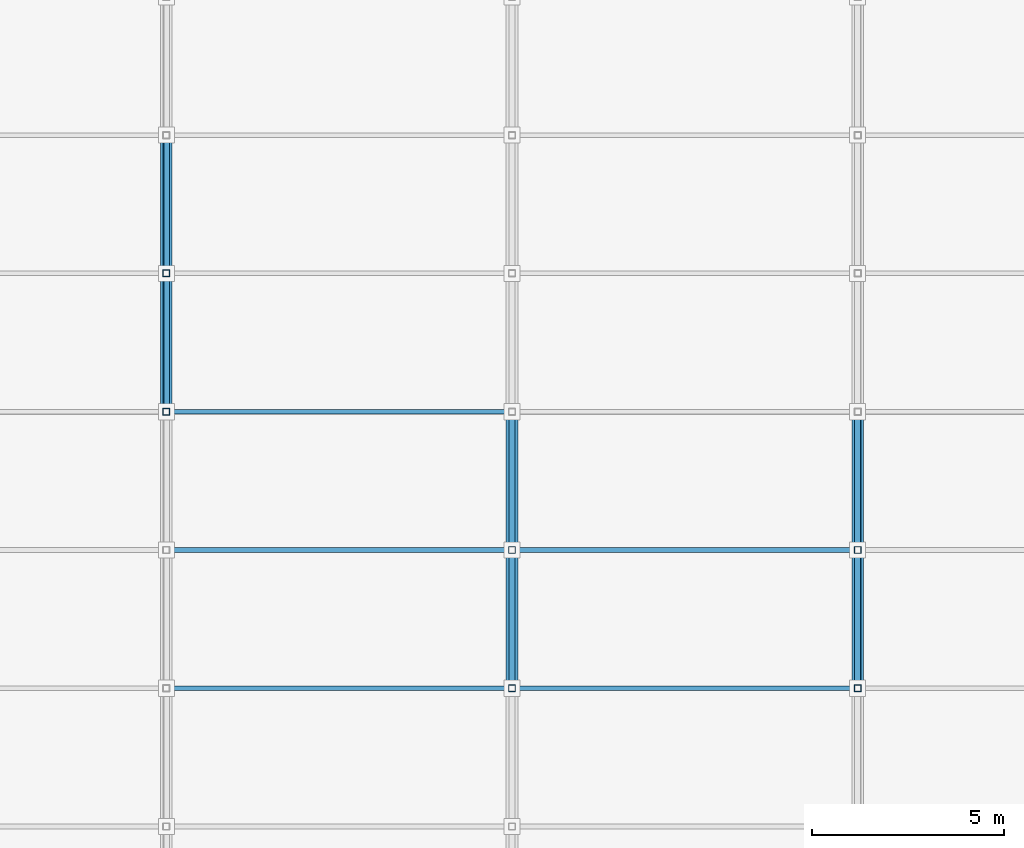
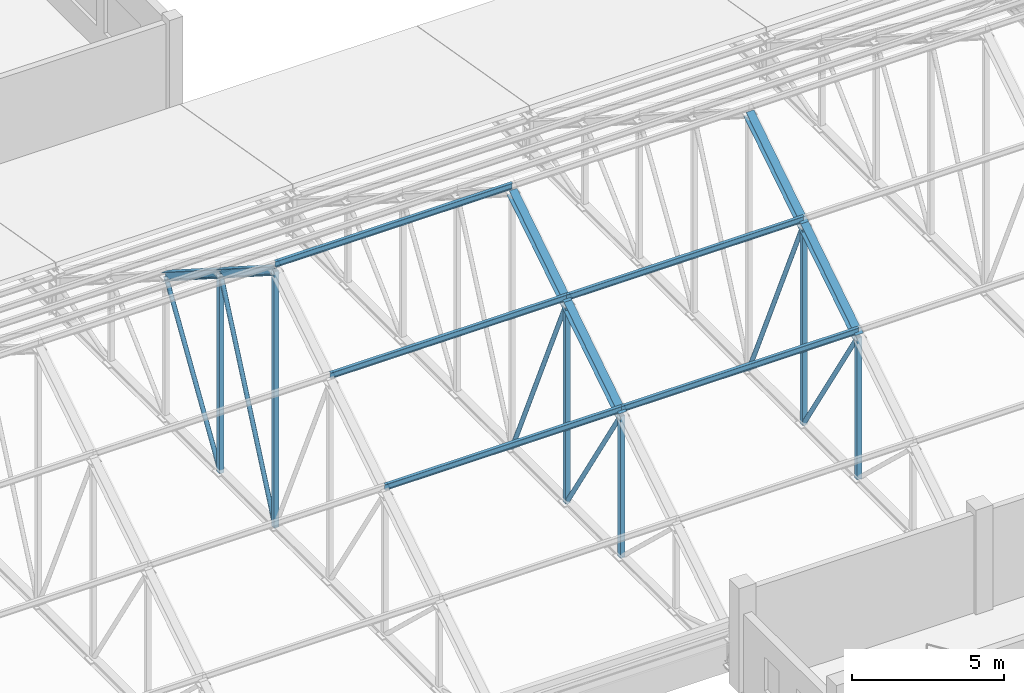
# One storey, part 108 of 182: 23 members.
"""IFC4 building model written with IfcOpenShell, lengths in metres."""

from ifc_helpers import new_model, si_unit, direction, frame, origin, origin_2d, place, context, subcontext, project, spatial, hollow_rectangle, hollow_circle, i_section, extrude, material, material_profile, profile_set, type_object, element, save


model = new_model("IFC4")

# Units and contexts
model_context = context("Model", 3, precision=1e-05, world=origin(), true_north=direction((0.0, 1.0)))
body_context = subcontext(model_context, "Body", "Model", "MODEL_VIEW")
ifc_project = project(units=[si_unit("LENGTHUNIT", "METRE"), si_unit("AREAUNIT", "SQUARE_METRE"), si_unit("VOLUMEUNIT", "CUBIC_METRE"), si_unit("PLANEANGLEUNIT", "RADIAN"), si_unit("MASSUNIT", "GRAM", prefix="KILO")], contexts=[model_context])

# Site, building, storey
site_placement = place(None, origin())
site = spatial("IfcSite", under=ifc_project, at=site_placement, CompositionType="ELEMENT")
building_placement = place(site_placement, origin())
building = spatial("IfcBuilding", under=site, at=building_placement, Name="Chiffa Square Polytechnic", CompositionType="ELEMENT")
storey_placement = place(building_placement, frame((0.0, 0.0, 9.60009765625)))
storey = spatial("IfcBuildingStorey", under=building, at=storey_placement, Name="L02", CompositionType="ELEMENT", Elevation=9.60009765625)

# Members
ifc_material = material(Name="Steel S355", Category="steel")
ifc_material_profile_1 = material_profile(ifc_material, i_section(OverallWidth=0.300048828125, OverallDepth=0.31005859375, WebThickness=0.009033203125, FlangeThickness=0.015380859375, FilletRadius=0.027099609375, at=origin_2d()), Name="HEA 320")
ifc_profile_set_1 = profile_set([ifc_material_profile_1], Name="Steel S355")
member_type_1 = type_object("IfcMemberType", Name="MEM-CHORD-HEA320", PredefinedType="CHORD", material=ifc_profile_set_1)
member_1_placement = place(storey_placement, frame((139.199951171875, 72.60009765625, 10.64990234375), z_axis=(0.0, 0.842681134223, -0.538412951205), x_axis=(-1.0, 0.0, 0.0)))
element("IfcMember", 1, at=member_1_placement, inside=storey, type_object=member_type_1, Name="Workshop roof truss top chord TCT-V2-04-05", PredefinedType="CHORD", context=body_context, shape_type="SweptSolid", body=[
    extrude(i_section(OverallWidth=0.300048828125, OverallDepth=0.31005859375, WebThickness=0.009033203125, FlangeThickness=0.015380859375, FilletRadius=0.027099609375, at=origin_2d()), origin(), (0.0, 0.0, 1.0), 4.27197265625),
])
for number, where, z_axis, x_axis, name in (
    (2, (139.199951171875, 76.199951171875, 8.349853515625), (0.0, 0.84269770024, -0.538387022512), (-1.0, 0.0, 0.0), "Workshop roof truss top chord TCT-V2-04-06"),
    (3, (148.199951171875, 65.39990234375, 6.0498046875), (0.0, 0.84269770024, 0.538387022512), (-1.0, 0.0, 0.0), "Workshop roof truss top chord TCT-V2-05-03"),
    (4, (148.199951171875, 69.0, 8.349853515625), (0.0, 0.84269770024, 0.538387022512), (-1.0, 0.0, 0.0), "Workshop roof truss top chord TCT-V2-05-04"),
    (5, (157.199951171875, 65.39990234375, 6.0498046875), (0.0, 0.84269770024, 0.538387022512), (-1.0, 0.0, 0.0), "Workshop roof truss top chord TCT-V2-06-03"),
    (6, (157.199951171875, 69.0, 8.349853515625), (0.0, 0.84269770024, 0.538387022512), (-1.0, 0.0, 0.0), "Workshop roof truss top chord TCT-V2-06-04"),
):
    element("IfcMember", number, at=place(storey_placement, frame(where, z_axis=z_axis, x_axis=x_axis)), inside=storey, type_object=member_type_1, Name=name, PredefinedType="CHORD", context=body_context, shape_type="SweptSolid", body=[
        extrude(i_section(OverallWidth=0.300048828125, OverallDepth=0.31005859375, WebThickness=0.009033203125, FlangeThickness=0.015380859375, FilletRadius=0.027099609375, at=origin_2d()), origin(), (0.0, 0.0, 1.0), 4.272216796875),
    ])
ifc_material_profile_2 = material_profile(ifc_material, i_section(OverallWidth=0.1201171875, OverallDepth=0.239990234375, WebThickness=0.006103515625, FlangeThickness=0.009765625, FilletRadius=0.014892578125, at=origin_2d()), Name="IPE 240")
ifc_profile_set_2 = profile_set([ifc_material_profile_2], Name="Steel S355")
member_type_2 = type_object("IfcMemberType", Name="MEM-PUR-IPE240", PredefinedType="PURLIN", material=ifc_profile_set_2)
for number, where, z_axis, x_axis, name in (
    (7, (139.199951171875, 65.39990234375, 6.2998046875), (1.0, 0.0, 0.0), (0.0, 1.0, 0.0), "Workshop steel roof purlin PU-V2-04-03"),
    (8, (139.199951171875, 69.0, 8.599853515625), (1.0, 0.0, 0.0), (0.0, 1.0, 0.0), "Workshop steel roof purlin PU-V2-04-04"),
    (9, (139.199951171875, 72.60009765625, 10.89990234375), (1.0, 0.0, 0.0), (0.0, 1.0, 0.0), "Workshop steel roof purlin PU-V2-04-05"),
    (10, (148.199951171875, 65.39990234375, 6.2998046875), (1.0, 0.0, 0.0), (0.0, 1.0, 0.0), "Workshop steel roof purlin PU-V2-05-03"),
    (11, (148.199951171875, 69.0, 8.599853515625), (1.0, 0.0, 0.0), (0.0, 1.0, 0.0), "Workshop steel roof purlin PU-V2-05-04"),
):
    element("IfcMember", number, at=place(storey_placement, frame(where, z_axis=z_axis, x_axis=x_axis)), inside=storey, type_object=member_type_2, Name=name, PredefinedType="PURLIN", context=body_context, shape_type="SweptSolid", body=[
        extrude(i_section(OverallWidth=0.1201171875, OverallDepth=0.239990234375, WebThickness=0.006103515625, FlangeThickness=0.009765625, FilletRadius=0.014892578125, at=origin_2d()), origin(), (0.0, 0.0, 1.0), 9.0),
    ])
ifc_material_profile_3 = material_profile(ifc_material, hollow_circle(Radius=0.084228515625, WallThickness=0.010009765625, at=origin_2d()), Name="CHS 168.3x10")
ifc_profile_set_3 = profile_set([ifc_material_profile_3], Name="Steel S355")
member_type_3 = type_object("IfcMemberType", Name="MEM-WEB-CHS168", PredefinedType="MEMBER", material=ifc_profile_set_3)
member_2_placement = place(storey_placement, frame((139.199951171875, 72.60009765625, 0.349853515625), z_axis=(0.0, 0.410350791297, 0.911927753762), x_axis=(-1.0, 0.0, 0.0)))
element("IfcMember", 12, at=member_2_placement, inside=storey, type_object=member_type_3, Name="Workshop roof truss diagonal TWD-V2-04-05", PredefinedType="MEMBER", context=body_context, shape_type="SweptSolid", body=[
    extrude(hollow_circle(Radius=0.084228515625, WallThickness=0.010009765625, at=origin_2d()), origin(), (0.0, 0.0, 1.0), 8.772705078125),
])
for number, where, z_axis, x_axis, name in (
    (13, (139.199951171875, 76.199951171875, 0.349853515625), (0.0, 0.53400661626, 0.845480297695), (-1.0, 0.0, 0.0), "Workshop roof truss diagonal TWD-V2-04-06"),
    (14, (148.199951171875, 65.39990234375, 6.0498046875), (0.0, 0.53400661626, -0.845480297695), (-1.0, 0.0, 0.0), "Workshop roof truss diagonal TWD-V2-05-03"),
):
    element("IfcMember", number, at=place(storey_placement, frame(where, z_axis=z_axis, x_axis=x_axis)), inside=storey, type_object=member_type_3, Name=name, PredefinedType="MEMBER", context=body_context, shape_type="SweptSolid", body=[
        extrude(hollow_circle(Radius=0.084228515625, WallThickness=0.010009765625, at=origin_2d()), origin(), (0.0, 0.0, 1.0), 6.74169921875),
    ])
member_3_placement = place(storey_placement, frame((148.199951171875, 69.0, 8.349853515625), z_axis=(0.0, 0.410373934525, -0.91191733938), x_axis=(-1.0, 0.0, 0.0)))
element("IfcMember", 15, at=member_3_placement, inside=storey, type_object=member_type_3, Name="Workshop roof truss diagonal TWD-V2-05-04", PredefinedType="MEMBER", context=body_context, shape_type="SweptSolid", body=[
    extrude(hollow_circle(Radius=0.084228515625, WallThickness=0.010009765625, at=origin_2d()), origin(), (0.0, 0.0, 1.0), 8.772705078125),
])
member_4_placement = place(storey_placement, frame((157.199951171875, 65.39990234375, 6.0498046875), z_axis=(0.0, 0.53400661626, -0.845480297695), x_axis=(-1.0, 0.0, 0.0)))
element("IfcMember", 16, at=member_4_placement, inside=storey, type_object=member_type_3, Name="Workshop roof truss diagonal TWD-V2-06-03", PredefinedType="MEMBER", context=body_context, shape_type="SweptSolid", body=[
    extrude(hollow_circle(Radius=0.084228515625, WallThickness=0.010009765625, at=origin_2d()), origin(), (0.0, 0.0, 1.0), 6.74169921875),
])
member_5_placement = place(storey_placement, frame((157.199951171875, 69.0, 8.349853515625), z_axis=(0.0, 0.410373934525, -0.91191733938), x_axis=(-1.0, 0.0, 0.0)))
element("IfcMember", 17, at=member_5_placement, inside=storey, type_object=member_type_3, Name="Workshop roof truss diagonal TWD-V2-06-04", PredefinedType="MEMBER", context=body_context, shape_type="SweptSolid", body=[
    extrude(hollow_circle(Radius=0.084228515625, WallThickness=0.010009765625, at=origin_2d()), origin(), (0.0, 0.0, 1.0), 8.772705078125),
])
ifc_material_profile_4 = material_profile(ifc_material, hollow_rectangle(XDim=0.179931640625, YDim=0.179931640625, WallThickness=0.010009765625, at=origin_2d()), Name="RHS 180x180x10")
ifc_profile_set_4 = profile_set([ifc_material_profile_4], Name="Steel S355")
member_type_4 = type_object("IfcMemberType", Name="MEM-WEB-RHS180", PredefinedType="MEMBER", material=ifc_profile_set_4)
member_6_placement = place(storey_placement, frame((139.199951171875, 72.60009765625, 0.349853515625), z_axis=(0.0, 0.0, 1.0), x_axis=(1.0, 0.0, 0.0)))
element("IfcMember", 18, at=member_6_placement, inside=storey, type_object=member_type_4, Name="Workshop roof truss vertical TWV-V2-04-05", PredefinedType="MEMBER", context=body_context, shape_type="SweptSolid", body=[
    extrude(hollow_rectangle(XDim=0.179931640625, YDim=0.179931640625, WallThickness=0.010009765625, at=origin_2d()), origin(), (0.0, 0.0, 1.0), 10.300048828125),
])
member_7_placement = place(storey_placement, frame((139.199951171875, 76.199951171875, 0.349853515625), z_axis=(0.0, 0.0, 1.0), x_axis=(1.0, 0.0, 0.0)))
element("IfcMember", 19, at=member_7_placement, inside=storey, type_object=member_type_4, Name="Workshop roof truss vertical TWV-V2-04-06", PredefinedType="MEMBER", context=body_context, shape_type="SweptSolid", body=[
    extrude(hollow_rectangle(XDim=0.179931640625, YDim=0.179931640625, WallThickness=0.010009765625, at=origin_2d()), origin(), (0.0, 0.0, 1.0), 8.0),
])
member_8_placement = place(storey_placement, frame((148.199951171875, 65.39990234375, 0.349853515625), z_axis=(0.0, 0.0, 1.0), x_axis=(1.0, 0.0, 0.0)))
element("IfcMember", 20, at=member_8_placement, inside=storey, type_object=member_type_4, Name="Workshop roof truss vertical TWV-V2-05-03", PredefinedType="MEMBER", context=body_context, shape_type="SweptSolid", body=[
    extrude(hollow_rectangle(XDim=0.179931640625, YDim=0.179931640625, WallThickness=0.010009765625, at=origin_2d()), origin(), (0.0, 0.0, 1.0), 5.699951171875),
])
member_9_placement = place(storey_placement, frame((148.199951171875, 69.0, 0.349853515625), z_axis=(0.0, 0.0, 1.0), x_axis=(1.0, 0.0, 0.0)))
element("IfcMember", 21, at=member_9_placement, inside=storey, type_object=member_type_4, Name="Workshop roof truss vertical TWV-V2-05-04", PredefinedType="MEMBER", context=body_context, shape_type="SweptSolid", body=[
    extrude(hollow_rectangle(XDim=0.179931640625, YDim=0.179931640625, WallThickness=0.010009765625, at=origin_2d()), origin(), (0.0, 0.0, 1.0), 8.0),
])
member_10_placement = place(storey_placement, frame((157.199951171875, 65.39990234375, 0.349853515625), z_axis=(0.0, 0.0, 1.0), x_axis=(1.0, 0.0, 0.0)))
element("IfcMember", 22, at=member_10_placement, inside=storey, type_object=member_type_4, Name="Workshop roof truss vertical TWV-V2-06-03", PredefinedType="MEMBER", context=body_context, shape_type="SweptSolid", body=[
    extrude(hollow_rectangle(XDim=0.179931640625, YDim=0.179931640625, WallThickness=0.010009765625, at=origin_2d()), origin(), (0.0, 0.0, 1.0), 5.699951171875),
])
member_11_placement = place(storey_placement, frame((157.199951171875, 69.0, 0.349853515625), z_axis=(0.0, 0.0, 1.0), x_axis=(1.0, 0.0, 0.0)))
element("IfcMember", 23, at=member_11_placement, inside=storey, type_object=member_type_4, Name="Workshop roof truss vertical TWV-V2-06-04", PredefinedType="MEMBER", context=body_context, shape_type="SweptSolid", body=[
    extrude(hollow_rectangle(XDim=0.179931640625, YDim=0.179931640625, WallThickness=0.010009765625, at=origin_2d()), origin(), (0.0, 0.0, 1.0), 8.0),
])

save(model, "model.ifc")
